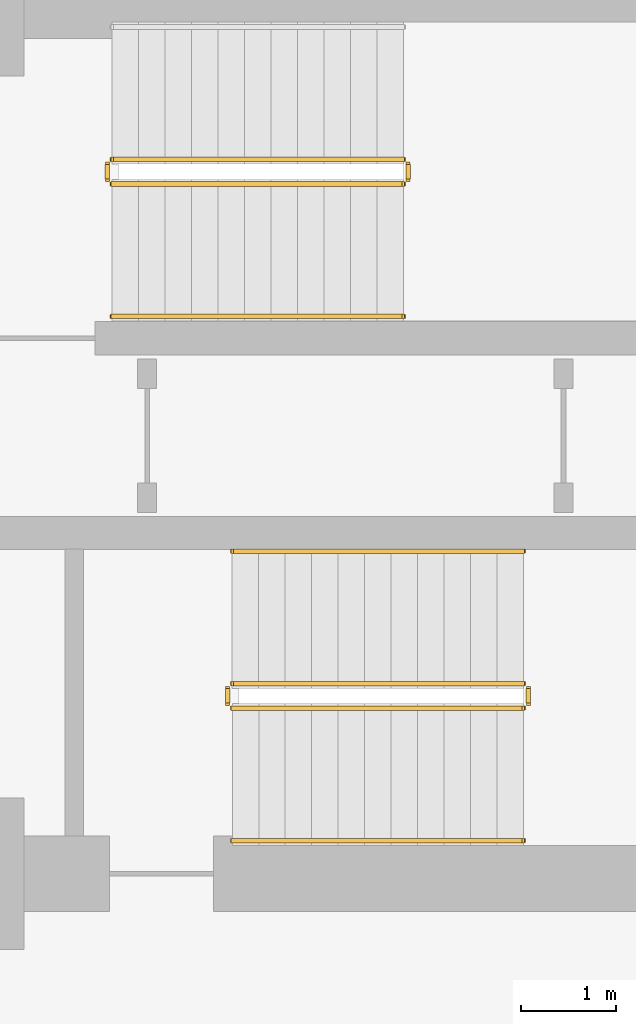
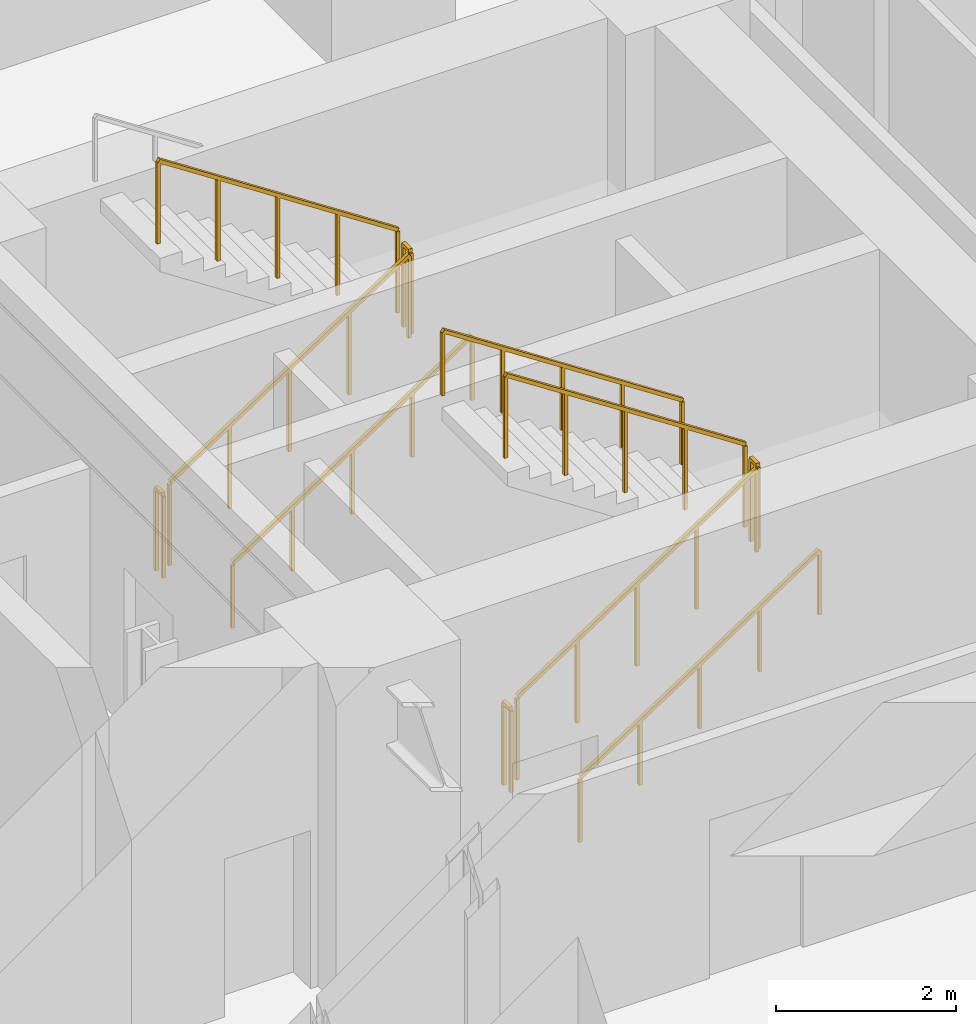
# One storey, part 7 of 9: 11 railings.
"""IFC4 building model written with IfcOpenShell, lengths in metres."""

from ifc_helpers import new_model, si_unit, direction, frame, origin, origin_2d, place, context, subcontext, project, spatial, rectangle, extrude, material, type_object, element, save


model = new_model("IFC4")

# Units and contexts
model_context = context("Model", 3, precision=1e-05, world=origin(), true_north=direction((0.0, 1.0)))
body_context = subcontext(model_context, "Body", "Model", "MODEL_VIEW")
ifc_project = project(units=[si_unit("LENGTHUNIT", "METRE"), si_unit("AREAUNIT", "SQUARE_METRE"), si_unit("VOLUMEUNIT", "CUBIC_METRE"), si_unit("PLANEANGLEUNIT", "RADIAN"), si_unit("MASSUNIT", "GRAM", prefix="KILO")], contexts=[model_context])

# Site, building, storey
site_placement = place(None, origin())
site = spatial("IfcSite", under=ifc_project, at=site_placement, CompositionType="ELEMENT")
building_placement = place(site_placement, origin())
building = spatial("IfcBuilding", under=site, at=building_placement, Name="Zarnavel Station Tower", CompositionType="ELEMENT")
storey_placement = place(building_placement, frame((0.0, 0.0, -8.800048828125)))
storey = spatial("IfcBuildingStorey", under=building, at=storey_placement, Name="B02", CompositionType="ELEMENT", Elevation=-8.800048828125)

# Railings
ifc_material_1 = material(Name="Painted Steel S355J2 Balustrade", Category="steel")
railing_type_1 = type_object("IfcRailingType", Name="GR_INT_1150", PredefinedType="GUARDRAIL", material=ifc_material_1)
railing_1_placement = place(storey_placement, frame((38.080078125, 35.110107421875, 0.183349609375)))
element("IfcRailing", 1, at=railing_1_placement, inside=storey, type_object=railing_type_1, Name="B02 ST2 stair guard 1", PredefinedType="GUARDRAIL", context=body_context, shape_type="SweptSolid", body=[
    extrude(rectangle(XDim=0.048095703125, YDim=0.048095703125, at=origin_2d()), frame((0.001708984375, 0.0, 1.126953125), z_axis=(0.836613101238, 0.0, 0.547794230379), x_axis=(0.0, 1.0, 0.0)), (0.0, 0.0, 1.0), 3.67724609375),
    extrude(rectangle(XDim=0.0419921875, YDim=0.0419921875, at=origin_2d()), origin(), (0.0, 0.0, 1.0), 1.101806640625),
    extrude(rectangle(XDim=0.0419921875, YDim=0.0419921875, at=origin_2d()), frame((0.77001953125, 0.0, 0.504150390625)), (0.0, 0.0, 1.0), 1.101806640625),
    extrude(rectangle(XDim=0.0419921875, YDim=0.0419921875, at=origin_2d()), frame((1.5400390625, 0.0, 1.00830078125)), (0.0, 0.0, 1.0), 1.101806640625),
    extrude(rectangle(XDim=0.0419921875, YDim=0.0419921875, at=origin_2d()), frame((2.309814453125, 0.0, 1.512451171875)), (0.0, 0.0, 1.0), 1.101806640625),
    extrude(rectangle(XDim=0.0419921875, YDim=0.0419921875, at=origin_2d()), frame((3.079833984375, 0.0, 2.0166015625)), (0.0, 0.0, 1.0), 1.101806640625),
])
railing_2_placement = place(storey_placement, frame((41.2099609375, 35.159912109375, 2.199951171875)))
element("IfcRailing", 2, at=railing_2_placement, inside=storey, type_object=railing_type_1, Name="B02 ST2 stair guard 2", PredefinedType="GUARDRAIL", context=body_context, shape_type="SweptSolid", body=[
    extrude(rectangle(XDim=0.048095703125, YDim=0.048095703125, at=origin_2d()), frame((0.0, 0.001953125, 1.1259765625), z_axis=(0.0, 1.0, 0.0), x_axis=(-1.0, 0.0, 0.0)), (0.0, 0.0, 1.0), 0.15625),
    extrude(rectangle(XDim=0.0419921875, YDim=0.0419921875, at=origin_2d()), origin(), (0.0, 0.0, 1.0), 1.101806640625),
    extrude(rectangle(XDim=0.0419921875, YDim=0.0419921875, at=origin_2d()), frame((0.0, 0.16015625, 0.0)), (0.0, 0.0, 1.0), 1.101806640625),
])
railing_3_placement = place(storey_placement, frame((41.159912109375, 35.3701171875, 2.38330078125)))
element("IfcRailing", 3, at=railing_3_placement, inside=storey, type_object=railing_type_1, Name="B02 ST2 stair guard 3", PredefinedType="GUARDRAIL", context=body_context, shape_type="SweptSolid", body=[
    extrude(rectangle(XDim=0.048095703125, YDim=0.048095703125, at=origin_2d()), frame((-0.001708984375, 0.0, 1.126953125), z_axis=(-0.836582707638, 0.0, 0.547840645882), x_axis=(0.0, -1.0, 0.0)), (0.0, 0.0, 1.0), 3.677490234375),
    extrude(rectangle(XDim=0.0419921875, YDim=0.0419921875, at=origin_2d()), origin(), (0.0, 0.0, 1.0), 1.101806640625),
    extrude(rectangle(XDim=0.0419921875, YDim=0.0419921875, at=origin_2d()), frame((-0.77001953125, 0.0, 0.504150390625)), (0.0, 0.0, 1.0), 1.101806640625),
    extrude(rectangle(XDim=0.0419921875, YDim=0.0419921875, at=origin_2d()), frame((-1.5400390625, 0.0, 1.00830078125)), (0.0, 0.0, 1.0), 1.101806640625),
    extrude(rectangle(XDim=0.0419921875, YDim=0.0419921875, at=origin_2d()), frame((-2.309814453125, 0.0, 1.5126953125)), (0.0, 0.0, 1.0), 1.101806640625),
    extrude(rectangle(XDim=0.0419921875, YDim=0.0419921875, at=origin_2d()), frame((-3.079833984375, 0.0, 2.016845703125)), (0.0, 0.0, 1.0), 1.101806640625),
])
railing_4_placement = place(storey_placement, frame((38.030029296875, 35.159912109375, 0.0)))
element("IfcRailing", 4, at=railing_4_placement, inside=storey, type_object=railing_type_1, Name="B02 ST2 stair guard 4", PredefinedType="GUARDRAIL", context=body_context, shape_type="SweptSolid", body=[
    extrude(rectangle(XDim=0.048095703125, YDim=0.048095703125, at=origin_2d()), frame((0.0, 0.001953125, 1.1259765625), z_axis=(0.0, 1.0, 0.0), x_axis=(-1.0, 0.0, 0.0)), (0.0, 0.0, 1.0), 0.15625),
    extrude(rectangle(XDim=0.0419921875, YDim=0.0419921875, at=origin_2d()), origin(), (0.0, 0.0, 1.0), 1.101806640625),
    extrude(rectangle(XDim=0.0419921875, YDim=0.0419921875, at=origin_2d()), frame((0.0, 0.16015625, 0.0)), (0.0, 0.0, 1.0), 1.101806640625),
])
railing_5_placement = place(storey_placement, frame((39.35009765625, 29.570068359375, 0.183349609375)))
element("IfcRailing", 5, at=railing_5_placement, inside=storey, type_object=railing_type_1, Name="B02 ST3 stair guard 1", PredefinedType="GUARDRAIL", context=body_context, shape_type="SweptSolid", body=[
    extrude(rectangle(XDim=0.048095703125, YDim=0.048095703125, at=origin_2d()), frame((0.001708984375, 0.0, 1.126953125), z_axis=(0.836613101238, 0.0, 0.547794230379), x_axis=(0.0, 1.0, 0.0)), (0.0, 0.0, 1.0), 3.67724609375),
    extrude(rectangle(XDim=0.0419921875, YDim=0.0419921875, at=origin_2d()), origin(), (0.0, 0.0, 1.0), 1.101806640625),
    extrude(rectangle(XDim=0.0419921875, YDim=0.0419921875, at=origin_2d()), frame((0.77001953125, 0.0, 0.504150390625)), (0.0, 0.0, 1.0), 1.101806640625),
    extrude(rectangle(XDim=0.0419921875, YDim=0.0419921875, at=origin_2d()), frame((1.5400390625, 0.0, 1.00830078125)), (0.0, 0.0, 1.0), 1.101806640625),
    extrude(rectangle(XDim=0.0419921875, YDim=0.0419921875, at=origin_2d()), frame((2.309814453125, 0.0, 1.512451171875)), (0.0, 0.0, 1.0), 1.101806640625),
    extrude(rectangle(XDim=0.0419921875, YDim=0.0419921875, at=origin_2d()), frame((3.079833984375, 0.0, 2.0166015625)), (0.0, 0.0, 1.0), 1.101806640625),
])
railing_6_placement = place(storey_placement, frame((42.47998046875, 29.6201171875, 2.199951171875)))
element("IfcRailing", 6, at=railing_6_placement, inside=storey, type_object=railing_type_1, Name="B02 ST3 stair guard 2", PredefinedType="GUARDRAIL", context=body_context, shape_type="SweptSolid", body=[
    extrude(rectangle(XDim=0.048095703125, YDim=0.048095703125, at=origin_2d()), frame((0.0, 0.001953125, 1.1259765625), z_axis=(0.0, 1.0, 0.0), x_axis=(-1.0, 0.0, 0.0)), (0.0, 0.0, 1.0), 0.156005859375),
    extrude(rectangle(XDim=0.0419921875, YDim=0.0419921875, at=origin_2d()), origin(), (0.0, 0.0, 1.0), 1.101806640625),
    extrude(rectangle(XDim=0.0419921875, YDim=0.0419921875, at=origin_2d()), frame((0.0, 0.159912109375, 0.0)), (0.0, 0.0, 1.0), 1.101806640625),
])
railing_7_placement = place(storey_placement, frame((42.429931640625, 29.830078125, 2.38330078125)))
element("IfcRailing", 7, at=railing_7_placement, inside=storey, type_object=railing_type_1, Name="B02 ST3 stair guard 3", PredefinedType="GUARDRAIL", context=body_context, shape_type="SweptSolid", body=[
    extrude(rectangle(XDim=0.048095703125, YDim=0.048095703125, at=origin_2d()), frame((-0.001708984375, 0.0, 1.126953125), z_axis=(-0.836582707638, 0.0, 0.547840645882), x_axis=(0.0, -1.0, 0.0)), (0.0, 0.0, 1.0), 3.677490234375),
    extrude(rectangle(XDim=0.0419921875, YDim=0.0419921875, at=origin_2d()), origin(), (0.0, 0.0, 1.0), 1.101806640625),
    extrude(rectangle(XDim=0.0419921875, YDim=0.0419921875, at=origin_2d()), frame((-0.77001953125, 0.0, 0.504150390625)), (0.0, 0.0, 1.0), 1.101806640625),
    extrude(rectangle(XDim=0.0419921875, YDim=0.0419921875, at=origin_2d()), frame((-1.5400390625, 0.0, 1.00830078125)), (0.0, 0.0, 1.0), 1.101806640625),
    extrude(rectangle(XDim=0.0419921875, YDim=0.0419921875, at=origin_2d()), frame((-2.309814453125, 0.0, 1.5126953125)), (0.0, 0.0, 1.0), 1.101806640625),
    extrude(rectangle(XDim=0.0419921875, YDim=0.0419921875, at=origin_2d()), frame((-3.079833984375, 0.0, 2.016845703125)), (0.0, 0.0, 1.0), 1.101806640625),
])
railing_8_placement = place(storey_placement, frame((39.300048828125, 29.6201171875, 0.0)))
element("IfcRailing", 8, at=railing_8_placement, inside=storey, type_object=railing_type_1, Name="B02 ST3 stair guard 4", PredefinedType="GUARDRAIL", context=body_context, shape_type="SweptSolid", body=[
    extrude(rectangle(XDim=0.048095703125, YDim=0.048095703125, at=origin_2d()), frame((0.0, 0.001953125, 1.1259765625), z_axis=(0.0, 1.0, 0.0), x_axis=(-1.0, 0.0, 0.0)), (0.0, 0.0, 1.0), 0.156005859375),
    extrude(rectangle(XDim=0.0419921875, YDim=0.0419921875, at=origin_2d()), origin(), (0.0, 0.0, 1.0), 1.101806640625),
    extrude(rectangle(XDim=0.0419921875, YDim=0.0419921875, at=origin_2d()), frame((0.0, 0.159912109375, 0.0)), (0.0, 0.0, 1.0), 1.101806640625),
])
ifc_material_2 = material(Name="Brushed Stainless Steel S355J2 Handrail", Category="steel")
railing_type_2 = type_object("IfcRailingType", Name="HR_STAIR_900", PredefinedType="HANDRAIL", material=ifc_material_2)
for number, where, name in (
    (9, (38.080078125, 33.7099609375, 0.183349609375), "B02 ST2 stair handrail 1"),
    (10, (39.35009765625, 28.169921875, 0.183349609375), "B02 ST3 stair handrail 1"),
):
    element("IfcRailing", number, at=place(storey_placement, frame(where)), inside=storey, type_object=railing_type_2, Name=name, PredefinedType="HANDRAIL", context=body_context, shape_type="SweptSolid", body=[
        extrude(rectangle(XDim=0.048095703125, YDim=0.048095703125, at=origin_2d()), frame((0.001708984375, 0.0, 0.876953125), z_axis=(0.836613101238, 0.0, 0.547794230379), x_axis=(0.0, 1.0, 0.0)), (0.0, 0.0, 1.0), 3.67724609375),
        extrude(rectangle(XDim=0.0419921875, YDim=0.0419921875, at=origin_2d()), origin(), (0.0, 0.0, 1.0), 0.851806640625),
        extrude(rectangle(XDim=0.0419921875, YDim=0.0419921875, at=origin_2d()), frame((0.77001953125, 0.0, 0.504150390625)), (0.0, 0.0, 1.0), 0.851806640625),
        extrude(rectangle(XDim=0.0419921875, YDim=0.0419921875, at=origin_2d()), frame((1.5400390625, 0.0, 1.00830078125)), (0.0, 0.0, 1.0), 0.851806640625),
        extrude(rectangle(XDim=0.0419921875, YDim=0.0419921875, at=origin_2d()), frame((2.309814453125, 0.0, 1.512451171875)), (0.0, 0.0, 1.0), 0.851806640625),
        extrude(rectangle(XDim=0.0419921875, YDim=0.0419921875, at=origin_2d()), frame((3.079833984375, 0.0, 2.0166015625)), (0.0, 0.0, 1.0), 0.851806640625),
    ])
railing_9_placement = place(storey_placement, frame((42.429931640625, 31.22998046875, 2.38330078125)))
element("IfcRailing", 11, at=railing_9_placement, inside=storey, type_object=railing_type_2, Name="B02 ST3 stair handrail 2", PredefinedType="HANDRAIL", context=body_context, shape_type="SweptSolid", body=[
    extrude(rectangle(XDim=0.048095703125, YDim=0.048095703125, at=origin_2d()), frame((-0.001708984375, 0.0, 0.876953125), z_axis=(-0.836582707638, 0.0, 0.547840645882), x_axis=(0.0, -1.0, 0.0)), (0.0, 0.0, 1.0), 3.677490234375),
    extrude(rectangle(XDim=0.0419921875, YDim=0.0419921875, at=origin_2d()), origin(), (0.0, 0.0, 1.0), 0.851806640625),
    extrude(rectangle(XDim=0.0419921875, YDim=0.0419921875, at=origin_2d()), frame((-0.77001953125, 0.0, 0.504150390625)), (0.0, 0.0, 1.0), 0.851806640625),
    extrude(rectangle(XDim=0.0419921875, YDim=0.0419921875, at=origin_2d()), frame((-1.5400390625, 0.0, 1.00830078125)), (0.0, 0.0, 1.0), 0.851806640625),
    extrude(rectangle(XDim=0.0419921875, YDim=0.0419921875, at=origin_2d()), frame((-2.309814453125, 0.0, 1.5126953125)), (0.0, 0.0, 1.0), 0.851806640625),
    extrude(rectangle(XDim=0.0419921875, YDim=0.0419921875, at=origin_2d()), frame((-3.079833984375, 0.0, 2.016845703125)), (0.0, 0.0, 1.0), 0.851806640625),
])

save(model, "model.ifc")
